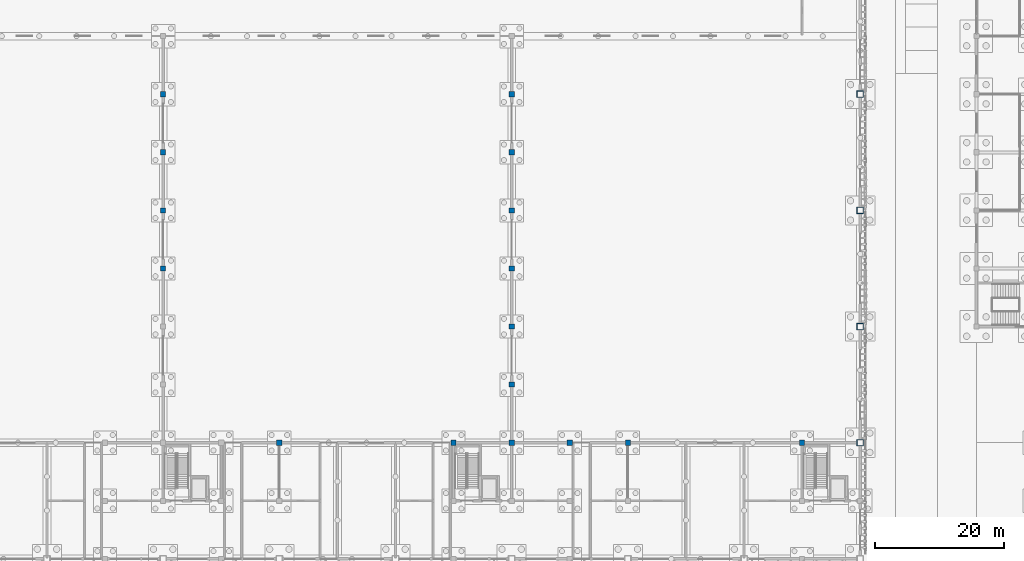
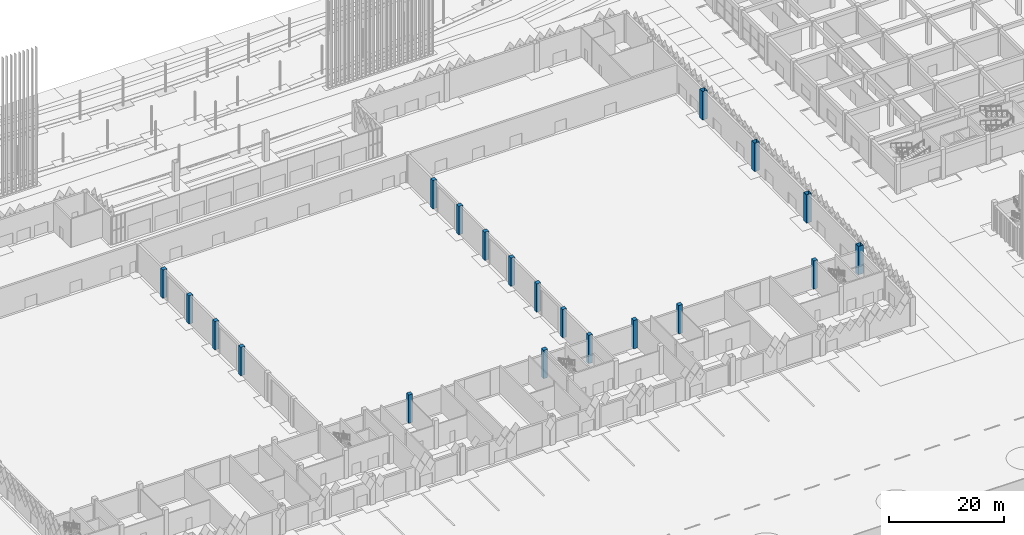
# One storey, part 22 of 198: 20 columns.
"""IFC4 building model written with IfcOpenShell, lengths in metres."""

from ifc_helpers import new_model, si_unit, direction, frame, origin, origin_2d, place, context, subcontext, project, spatial, rectangle, hollow_rectangle, extrude, material, material_profile, profile_set, type_object, element, save


model = new_model("IFC4")

# Units and contexts
model_context = context("Model", 3, precision=1e-05, world=origin(), true_north=direction((0.0, 1.0)))
body_context = subcontext(model_context, "Body", "Model", "MODEL_VIEW")
ifc_project = project(units=[si_unit("LENGTHUNIT", "METRE"), si_unit("AREAUNIT", "SQUARE_METRE"), si_unit("VOLUMEUNIT", "CUBIC_METRE"), si_unit("PLANEANGLEUNIT", "RADIAN"), si_unit("MASSUNIT", "GRAM", prefix="KILO")], contexts=[model_context])

# Site, building, storey
site_placement = place(None, origin())
site = spatial("IfcSite", under=ifc_project, at=site_placement, CompositionType="ELEMENT")
building_placement = place(site_placement, origin())
building = spatial("IfcBuilding", under=site, at=building_placement, Name="Opaline Strait Convention Centre", CompositionType="ELEMENT")
storey_placement = place(building_placement, origin())
storey = spatial("IfcBuildingStorey", under=building, at=storey_placement, Name="L00", CompositionType="ELEMENT", Elevation=0.0)

# Columns
ifc_material_1 = material(Name="Steel Q355B", Category="steel")
ifc_material_profile_1 = material_profile(ifc_material_1, hollow_rectangle(XDim=1.0, YDim=1.0, WallThickness=0.031982421875, at=origin_2d()), Name="BOX 1000x1000x32")
ifc_profile_set_1 = profile_set([ifc_material_profile_1], Name="Steel Q355B")
column_type_1 = type_object("IfcColumnType", Name="CFT column BOX 1000x1000x32 C60 fill", PredefinedType="COLUMN", material=ifc_profile_set_1)
for number, where, z_axis, x_axis, name in (
    (1, (261.0, 72.0, 0.0), (0.0, 0.0, 1.0), (1.0, 0.0, 0.0), "Roof column XC-25"),
    (2, (261.0, 90.0, 0.0), (0.0, 0.0, 1.0), (1.0, 0.0, 0.0), "Roof column XC-26"),
    (3, (261.0, 108.0, 0.0), (0.0, 0.0, 1.0), (1.0, 0.0, 0.0), "Roof column XC-27"),
    (4, (261.0, 126.0, 0.0), (0.0, 0.0, 1.0), (1.0, 0.0, 0.0), "Roof column XC-28"),
):
    element("IfcColumn", number, at=place(storey_placement, frame(where, z_axis=z_axis, x_axis=x_axis)), inside=storey, type_object=column_type_1, Name=name, ObjectType="XC1", PredefinedType="COLUMN", context=body_context, shape_type="SweptSolid", body=[
        extrude(hollow_rectangle(XDim=1.0, YDim=1.0, WallThickness=0.031982421875, at=origin_2d()), origin(), (0.0, 0.0, 1.0), 6.0),
    ])
ifc_material_2 = material(Name="Concrete C40", Category="concrete")
ifc_material_profile_2 = material_profile(ifc_material_2, rectangle(XDim=0.800048828125, YDim=0.800048828125, at=origin_2d()), Name="RC 800x800")
ifc_profile_set_2 = profile_set([ifc_material_profile_2], Name="Concrete C40")
column_type_2 = type_object("IfcColumnType", Name="RC column 800x800 C40", PredefinedType="COLUMN", material=ifc_profile_set_2)
for number, where, z_axis, x_axis, name in (
    (5, (171.0, 72.0, 0.0), (0.0, 0.0, 1.0), (1.0, 0.0, 0.0), "Strip column XC-55"),
    (6, (198.0, 72.0, 0.0), (0.0, 0.0, 1.0), (1.0, 0.0, 0.0), "Strip column XC-56"),
    (7, (207.0, 72.0, 0.0), (0.0, 0.0, 1.0), (1.0, 0.0, 0.0), "Strip column XC-57"),
    (8, (216.0, 72.0, 0.0), (0.0, 0.0, 1.0), (1.0, 0.0, 0.0), "Strip column XC-58"),
    (9, (225.0, 72.0, 0.0), (0.0, 0.0, 1.0), (1.0, 0.0, 0.0), "Strip column XC-59"),
    (10, (252.0, 72.0, 0.0), (0.0, 0.0, 1.0), (1.0, 0.0, 0.0), "Strip column XC-60"),
    (11, (153.0, 99.0, 0.0), (0.0, 0.0, 1.0), (1.0, 0.0, 0.0), "Fire wall pilaster"),
    (12, (153.0, 108.0, 0.0), (0.0, 0.0, 1.0), (1.0, 0.0, 0.0), "Fire wall pilaster"),
    (13, (153.0, 117.0, 0.0), (0.0, 0.0, 1.0), (1.0, 0.0, 0.0), "Fire wall pilaster"),
    (14, (153.0, 126.0, 0.0), (0.0, 0.0, 1.0), (1.0, 0.0, 0.0), "Fire wall pilaster"),
    (15, (207.0, 81.0, 0.0), (0.0, 0.0, 1.0), (1.0, 0.0, 0.0), "Fire wall pilaster"),
    (16, (207.0, 90.0, 0.0), (0.0, 0.0, 1.0), (1.0, 0.0, 0.0), "Fire wall pilaster"),
    (17, (207.0, 99.0, 0.0), (0.0, 0.0, 1.0), (1.0, 0.0, 0.0), "Fire wall pilaster"),
    (18, (207.0, 108.0, 0.0), (0.0, 0.0, 1.0), (1.0, 0.0, 0.0), "Fire wall pilaster"),
    (19, (207.0, 117.0, 0.0), (0.0, 0.0, 1.0), (1.0, 0.0, 0.0), "Fire wall pilaster"),
    (20, (207.0, 126.0, 0.0), (0.0, 0.0, 1.0), (1.0, 0.0, 0.0), "Fire wall pilaster"),
):
    element("IfcColumn", number, at=place(storey_placement, frame(where, z_axis=z_axis, x_axis=x_axis)), inside=storey, type_object=column_type_2, Name=name, ObjectType="XC2", PredefinedType="COLUMN", context=body_context, shape_type="SweptSolid", body=[
        extrude(rectangle(XDim=0.800048828125, YDim=0.800048828125, at=origin_2d()), origin(), (0.0, 0.0, 1.0), 6.0),
    ])

save(model, "model.ifc")
